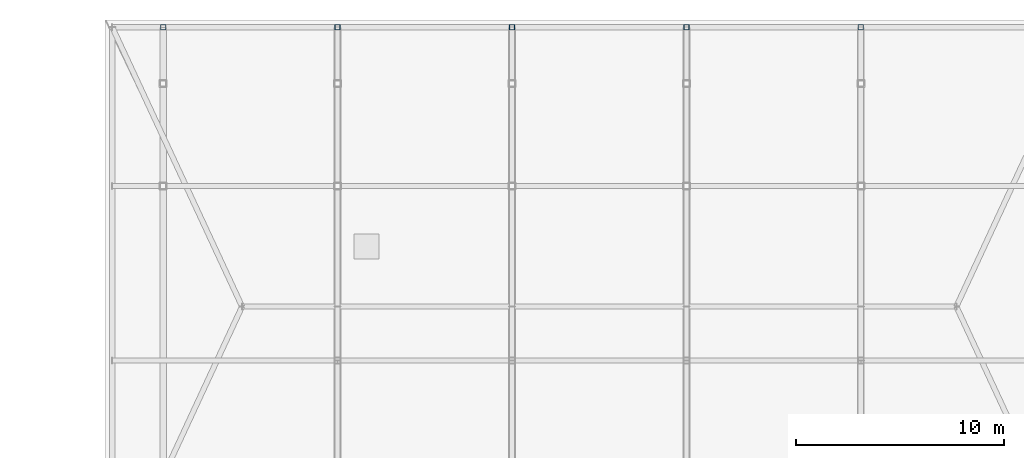
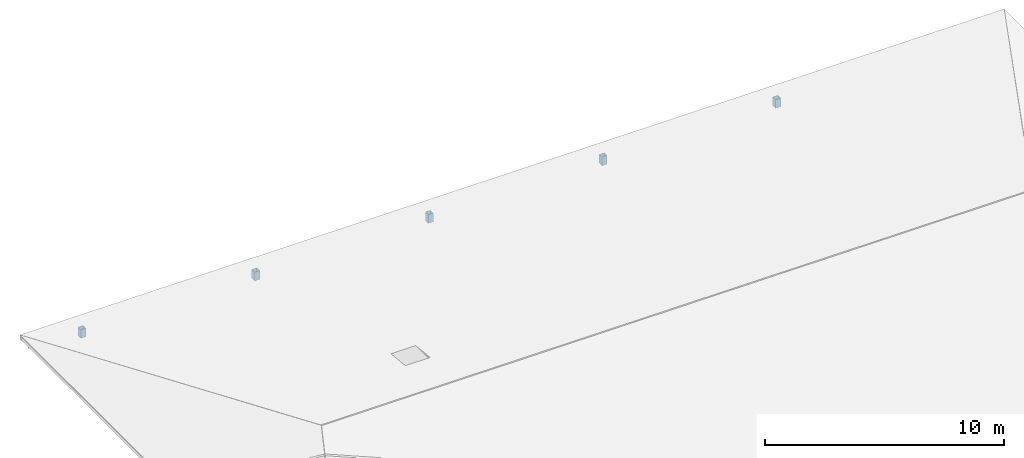
# One storey, part 6 of 13: 5 members.
"""IFC4 building model written with IfcOpenShell, lengths in metres."""

from ifc_helpers import new_model, si_unit, direction, frame, origin, origin_2d, place, context, subcontext, project, spatial, hollow_rectangle, extrude, material, material_profile, profile_set, type_object, element, save


model = new_model("IFC4")

# Units and contexts
model_context = context("Model", 3, precision=1e-05, world=origin(), true_north=direction((0.0, 1.0)))
body_context = subcontext(model_context, "Body", "Model", "MODEL_VIEW")
ifc_project = project(units=[si_unit("LENGTHUNIT", "METRE"), si_unit("AREAUNIT", "SQUARE_METRE"), si_unit("VOLUMEUNIT", "CUBIC_METRE"), si_unit("PLANEANGLEUNIT", "RADIAN"), si_unit("MASSUNIT", "GRAM", prefix="KILO")], contexts=[model_context])

# Site, building, storey
site_placement = place(None, origin())
site = spatial("IfcSite", under=ifc_project, at=site_placement, CompositionType="ELEMENT")
building_placement = place(site_placement, origin())
building = spatial("IfcBuilding", under=site, at=building_placement, Name="Cumbredor Promenade Congress Hotel", CompositionType="ELEMENT")
storey_placement = place(building_placement, frame((0.0, 0.0, 38.639892578125)))
storey = spatial("IfcBuildingStorey", under=building, at=storey_placement, Name="RF", CompositionType="ELEMENT", Elevation=38.639892578125)

# Members
ifc_material = material(Name="Steel ASTM A500 Grade C", Category="steel")
ifc_material_profile = material_profile(ifc_material, hollow_rectangle(XDim=0.25, YDim=0.25, WallThickness=0.012451171875, at=origin_2d()), Name="HSS 250x250x12.5")
ifc_profile_set = profile_set([ifc_material_profile], Name="Steel ASTM A500 Grade C")
member_type = type_object("IfcMemberType", Name="Hotel Tropical Roof Rafter Chord", PredefinedType="RAFTER", material=ifc_profile_set)
for number, where, z_axis, x_axis, name in (
    (1, (8.39990234375, 116.85009765625, -0.219970703125), (0.0, 0.0, 1.0), (1.0, 0.0, 0.0), "Hotel Broad-Eave Roof Eave Post X8N"),
    (2, (16.800048828125, 116.85009765625, -0.219970703125), (0.0, 0.0, 1.0), (1.0, 0.0, 0.0), "Hotel Broad-Eave Roof Eave Post X16N"),
    (3, (25.199951171875, 116.85009765625, -0.219970703125), (0.0, 0.0, 1.0), (1.0, 0.0, 0.0), "Hotel Broad-Eave Roof Eave Post X25N"),
    (4, (33.60009765625, 116.85009765625, -0.219970703125), (0.0, 0.0, 1.0), (1.0, 0.0, 0.0), "Hotel Broad-Eave Roof Eave Post X33N"),
    (5, (42.0, 116.85009765625, -0.219970703125), (0.0, 0.0, 1.0), (1.0, 0.0, 0.0), "Hotel Broad-Eave Roof Eave Post X42N"),
):
    element("IfcMember", number, at=place(storey_placement, frame(where, z_axis=z_axis, x_axis=x_axis)), inside=storey, type_object=member_type, Name=name, PredefinedType="RAFTER", context=body_context, shape_type="SweptSolid", body=[
        extrude(hollow_rectangle(XDim=0.25, YDim=0.25, WallThickness=0.012451171875, at=origin_2d()), origin(), (0.0, 0.0, 1.0), 0.440185546875),
    ])

save(model, "model.ifc")
